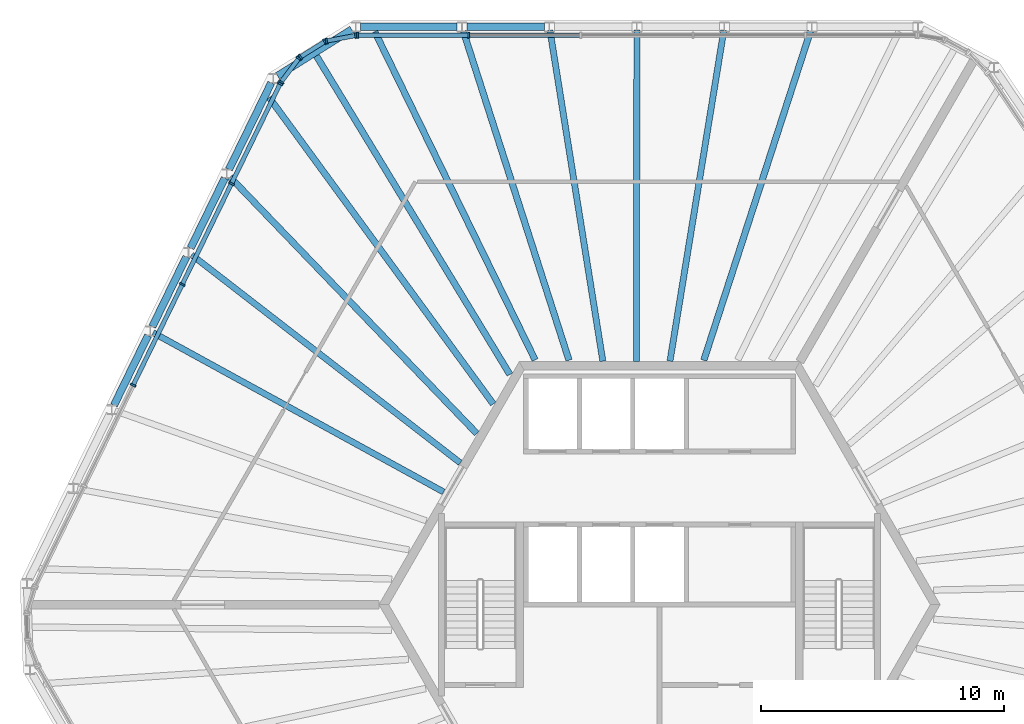
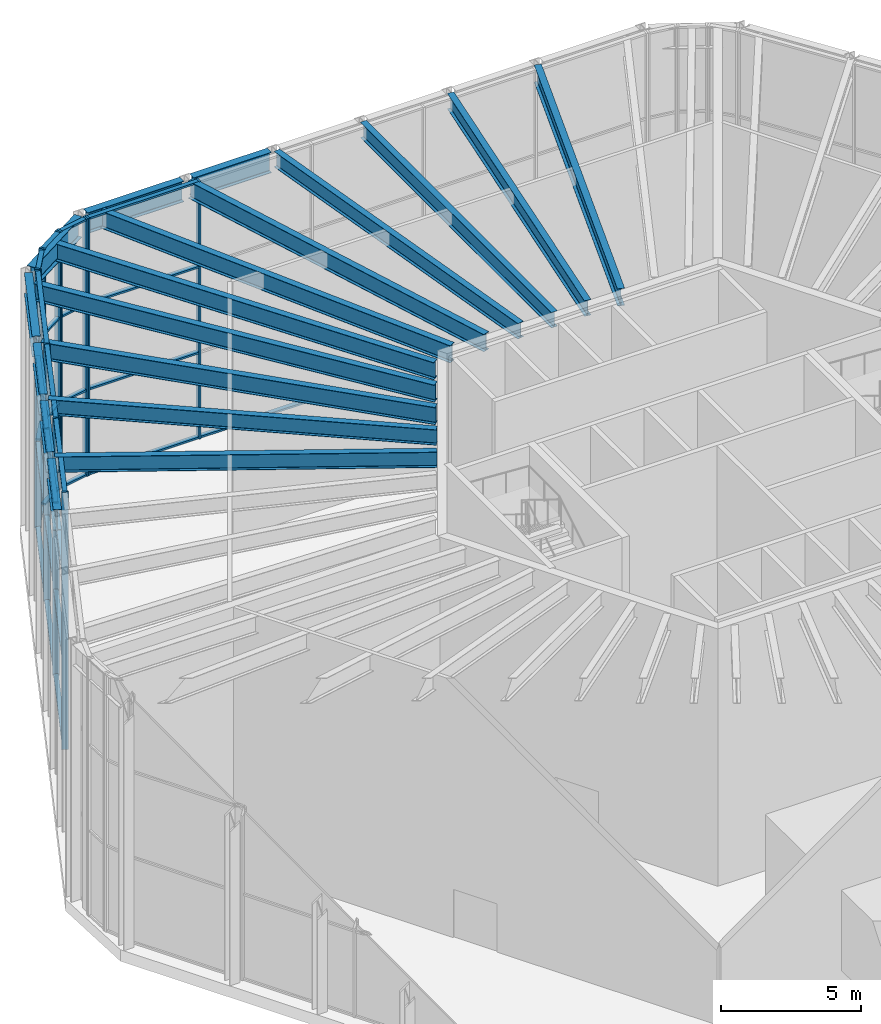
# One storey, part 7 of 17: 41 members, 18 beams, 5 elements without a shape of their own.
"""IFC4 building model written with IfcOpenShell, lengths in metres."""

from ifc_helpers import new_model, si_unit, direction, frame, origin, origin_2d, place, context, subcontext, project, spatial, rectangle, i_section, extrude, material, material_profile, profile_set, type_object, element, aggregate, save


model = new_model("IFC4")

# Units and contexts
model_context = context("Model", 3, precision=1e-05, world=origin(), true_north=direction((0.0, 1.0)))
body_context = subcontext(model_context, "Body", "Model", "MODEL_VIEW")
ifc_project = project(units=[si_unit("LENGTHUNIT", "METRE"), si_unit("AREAUNIT", "SQUARE_METRE"), si_unit("VOLUMEUNIT", "CUBIC_METRE"), si_unit("PLANEANGLEUNIT", "RADIAN"), si_unit("MASSUNIT", "GRAM", prefix="KILO")], contexts=[model_context])

# Site, building, storey
site_placement = place(None, origin())
site = spatial("IfcSite", under=ifc_project, at=site_placement, CompositionType="ELEMENT")
building_placement = place(site_placement, origin())
building = spatial("IfcBuilding", under=site, at=building_placement, Name="Tarnside Tower", CompositionType="ELEMENT")
storey_placement = place(building_placement, frame((0.0, 0.0, 376.800048828125)))
storey = spatial("IfcBuildingStorey", under=building, at=storey_placement, Name="L91", CompositionType="ELEMENT", Elevation=376.800048828125)

# Curtain wall, members
ifc_material_1 = material(Name="Damper hall glazing wall", Category="glass")
curtain_wall_type = type_object("IfcCurtainWallType", Name="Damper hall glazing wall", PredefinedType="NOTDEFINED", material=ifc_material_1)
curtain_wall_1_placement = place(storey_placement, origin())
curtain_wall_1 = element("IfcCurtainWall", 1, at=curtain_wall_1_placement, inside=storey, type_object=curtain_wall_type, Name="Damper hall glazing L91 00", PredefinedType="NOTDEFINED")
ifc_material_2 = material(Name="Aluminium alloy 6063", Category="aluminium")
ifc_material_profile_1 = material_profile(ifc_material_2, rectangle(XDim=0.239990234375, YDim=0.080078125, at=origin_2d()), Name="Damper hall glazing mullion 80 x 240")
ifc_profile_set_1 = profile_set([ifc_material_profile_1], Name="Aluminium alloy 6063")
member_type_1 = type_object("IfcMemberType", Name="Damper hall glazing mullion 80 x 240", PredefinedType="MULLION", material=ifc_profile_set_1)
member_1_placement = place(storey_placement, frame((-12.42529296875, 23.429931640625, 0.0), z_axis=(0.0, 0.0, 1.0), x_axis=(0.0, 1.0, 0.0)))
member_1 = element("IfcMember", 2, at=member_1_placement, type_object=member_type_1, Name="CW5 mullion 1", PredefinedType="MULLION", context=body_context, shape_type="SweptSolid", body=[
    extrude(rectangle(XDim=0.239990234375, YDim=0.080078125, at=origin_2d()), origin(), (0.0, 0.0, 1.0), 11.199951171875),
])
member_2_placement = place(storey_placement, frame((-7.850830078125, 23.429931640625, 0.0), z_axis=(0.0, 0.0, 1.0), x_axis=(0.0, 1.0, 0.0)))
member_2 = element("IfcMember", 3, at=member_2_placement, type_object=member_type_1, Name="CW5 mullion 2", PredefinedType="MULLION", context=body_context, shape_type="SweptSolid", body=[
    extrude(rectangle(XDim=0.239990234375, YDim=0.080078125, at=origin_2d()), origin(), (0.0, 0.0, 1.0), 11.199951171875),
])

curtain_wall_2_placement = place(storey_placement, origin())
curtain_wall_2 = element("IfcCurtainWall", 4, at=curtain_wall_2_placement, inside=storey, type_object=curtain_wall_type, Name="Damper hall glazing L91 20", PredefinedType="NOTDEFINED")
member_3_placement = place(storey_placement, frame((-21.66259765625, 9.032958984375, 0.0), z_axis=(0.0, 0.0, 1.0), x_axis=(-0.898794046299, 0.438371146789, 0.0)))
member_3 = element("IfcMember", 5, at=member_3_placement, type_object=member_type_1, Name="CW5 mullion 3", PredefinedType="MULLION", context=body_context, shape_type="SweptSolid", body=[
    extrude(rectangle(XDim=0.239990234375, YDim=0.080078125, at=origin_2d()), origin(), (0.0, 0.0, 1.0), 11.199951171875),
])
member_4_placement = place(storey_placement, frame((-19.639892578125, 13.18017578125, 0.0), z_axis=(0.0, 0.0, 1.0), x_axis=(-0.898794046299, 0.438371146789, 0.0)))
member_4 = element("IfcMember", 6, at=member_4_placement, type_object=member_type_1, Name="CW5 mullion 4", PredefinedType="MULLION", context=body_context, shape_type="SweptSolid", body=[
    extrude(rectangle(XDim=0.239990234375, YDim=0.080078125, at=origin_2d()), origin(), (0.0, 0.0, 1.0), 11.199951171875),
])
member_5_placement = place(storey_placement, frame((-17.6171875, 17.327392578125, 0.0), z_axis=(0.0, 0.0, 1.0), x_axis=(-0.898794046299, 0.438371146789, 0.0)))
member_5 = element("IfcMember", 7, at=member_5_placement, type_object=member_type_1, Name="CW5 mullion 5", PredefinedType="MULLION", context=body_context, shape_type="SweptSolid", body=[
    extrude(rectangle(XDim=0.239990234375, YDim=0.080078125, at=origin_2d()), origin(), (0.0, 0.0, 1.0), 11.199951171875),
])
member_6_placement = place(storey_placement, frame((-15.61181640625, 21.438720703125, 0.0), z_axis=(0.0, 0.0, 1.0), x_axis=(-0.898794046299, 0.438371146789, 0.0)))
member_6 = element("IfcMember", 8, at=member_6_placement, type_object=member_type_1, Name="CW5 mullion 6", PredefinedType="MULLION", context=body_context, shape_type="SweptSolid", body=[
    extrude(rectangle(XDim=0.239990234375, YDim=0.080078125, at=origin_2d()), origin(), (0.0, 0.0, 1.0), 11.199951171875),
])

curtain_wall_3_placement = place(storey_placement, origin())
curtain_wall_3 = element("IfcCurtainWall", 9, at=curtain_wall_3_placement, inside=storey, type_object=curtain_wall_type, Name="Damper hall glazing L91 21", PredefinedType="NOTDEFINED")
member_7_placement = place(storey_placement, frame((-15.570556640625, 21.5068359375, 0.0), z_axis=(0.0, 0.0, 1.0), x_axis=(-0.80212319272, 0.597158591749, 0.0)))
member_7 = element("IfcMember", 10, at=member_7_placement, type_object=member_type_1, Name="CW5 mullion 1", PredefinedType="MULLION", context=body_context, shape_type="SweptSolid", body=[
    extrude(rectangle(XDim=0.239990234375, YDim=0.080078125, at=origin_2d()), origin(), (0.0, 0.0, 1.0), 11.199951171875),
])
member_8_placement = place(storey_placement, frame((-14.841796875, 22.485595703125, 0.0), z_axis=(0.0, 0.0, 1.0), x_axis=(-0.80212319272, 0.597158591749, 0.0)))
member_8 = element("IfcMember", 11, at=member_8_placement, type_object=member_type_1, Name="CW5 mullion 2", PredefinedType="MULLION", context=body_context, shape_type="SweptSolid", body=[
    extrude(rectangle(XDim=0.239990234375, YDim=0.080078125, at=origin_2d()), origin(), (0.0, 0.0, 1.0), 11.199951171875),
])

curtain_wall_4_placement = place(storey_placement, origin())
curtain_wall_4 = element("IfcCurtainWall", 12, at=curtain_wall_4_placement, inside=storey, type_object=curtain_wall_type, Name="Damper hall glazing L91 22", PredefinedType="NOTDEFINED")
member_9_placement = place(storey_placement, frame((-14.783935546875, 22.538818359375, 0.0), z_axis=(0.0, 0.0, 1.0), x_axis=(-0.529919264307, 0.84804809611, 0.0)))
member_9 = element("IfcMember", 13, at=member_9_placement, type_object=member_type_1, Name="CW5 mullion 1", PredefinedType="MULLION", context=body_context, shape_type="SweptSolid", body=[
    extrude(rectangle(XDim=0.239990234375, YDim=0.080078125, at=origin_2d()), origin(), (0.0, 0.0, 1.0), 11.199951171875),
])
member_10_placement = place(storey_placement, frame((-13.77685546875, 23.168212890625, 0.0), z_axis=(0.0, 0.0, 1.0), x_axis=(-0.529919264307, 0.84804809611, 0.0)))
member_10 = element("IfcMember", 14, at=member_10_placement, type_object=member_type_1, Name="CW5 mullion 2", PredefinedType="MULLION", context=body_context, shape_type="SweptSolid", body=[
    extrude(rectangle(XDim=0.239990234375, YDim=0.080078125, at=origin_2d()), origin(), (0.0, 0.0, 1.0), 11.199951171875),
])

curtain_wall_5_placement = place(storey_placement, origin())
curtain_wall_5 = element("IfcCurtainWall", 15, at=curtain_wall_5_placement, inside=storey, type_object=curtain_wall_type, Name="Damper hall glazing L91 23", PredefinedType="NOTDEFINED")
member_11_placement = place(storey_placement, frame((-13.70361328125, 23.19677734375, 0.0), z_axis=(0.0, 0.0, 1.0), x_axis=(-0.185094923119, 0.982720646692, 0.0)))
member_11 = element("IfcMember", 16, at=member_11_placement, type_object=member_type_1, Name="CW5 mullion 1", PredefinedType="MULLION", context=body_context, shape_type="SweptSolid", body=[
    extrude(rectangle(XDim=0.239990234375, YDim=0.080078125, at=origin_2d()), origin(), (0.0, 0.0, 1.0), 11.199951171875),
])
member_12_placement = place(storey_placement, frame((-12.50439453125, 23.422607421875, 0.0), z_axis=(0.0, 0.0, 1.0), x_axis=(-0.185094923119, 0.982720646692, 0.0)))
member_12 = element("IfcMember", 17, at=member_12_placement, type_object=member_type_1, Name="CW5 mullion 2", PredefinedType="MULLION", context=body_context, shape_type="SweptSolid", body=[
    extrude(rectangle(XDim=0.239990234375, YDim=0.080078125, at=origin_2d()), origin(), (0.0, 0.0, 1.0), 11.199951171875),
])

# Member
ifc_material_profile_2 = material_profile(ifc_material_2, rectangle(XDim=0.179931640625, YDim=0.080078125, at=origin_2d()), Name="Damper hall glazing transom 80 x 180")
ifc_profile_set_2 = profile_set([ifc_material_profile_2], Name="Aluminium alloy 6063")
member_type_2 = type_object("IfcMemberType", Name="Damper hall glazing transom 80 x 180", PredefinedType="USERDEFINED", material=ifc_profile_set_2)
member_13_placement = place(storey_placement, frame((-12.38525390625, 23.429931640625, 0.0400390625), z_axis=(1.0, 0.0, 0.0), x_axis=(0.0, 1.0, 0.0)))
member_13 = element("IfcMember", 18, at=member_13_placement, type_object=member_type_2, Name="CW5 transom 1.1", ObjectType="TRANSOM", PredefinedType="USERDEFINED", context=body_context, shape_type="SweptSolid", body=[
    extrude(rectangle(XDim=0.179931640625, YDim=0.080078125, at=origin_2d()), origin(), (0.0, 0.0, 1.0), 4.494384765625),
])

member_14_placement = place(storey_placement, frame((-12.38525390625, 23.429931640625, 3.733154296875), z_axis=(1.0, 0.0, 0.0), x_axis=(0.0, 1.0, 0.0)))
member_14 = element("IfcMember", 19, at=member_14_placement, type_object=member_type_2, Name="CW5 transom 1.2", ObjectType="TRANSOM", PredefinedType="USERDEFINED", context=body_context, shape_type="SweptSolid", body=[
    extrude(rectangle(XDim=0.179931640625, YDim=0.080078125, at=origin_2d()), origin(), (0.0, 0.0, 1.0), 4.494384765625),
])

member_15_placement = place(storey_placement, frame((-12.38525390625, 23.429931640625, 7.466552734375), z_axis=(1.0, 0.0, 0.0), x_axis=(0.0, 1.0, 0.0)))
member_15 = element("IfcMember", 20, at=member_15_placement, type_object=member_type_2, Name="CW5 transom 1.3", ObjectType="TRANSOM", PredefinedType="USERDEFINED", context=body_context, shape_type="SweptSolid", body=[
    extrude(rectangle(XDim=0.179931640625, YDim=0.080078125, at=origin_2d()), origin(), (0.0, 0.0, 1.0), 4.494384765625),
])

member_16_placement = place(storey_placement, frame((-12.38525390625, 23.429931640625, 11.159912109375), z_axis=(1.0, 0.0, 0.0), x_axis=(0.0, 1.0, 0.0)))
member_16 = element("IfcMember", 21, at=member_16_placement, type_object=member_type_2, Name="CW5 transom 1.4", ObjectType="TRANSOM", PredefinedType="USERDEFINED", context=body_context, shape_type="SweptSolid", body=[
    extrude(rectangle(XDim=0.179931640625, YDim=0.080078125, at=origin_2d()), origin(), (0.0, 0.0, 1.0), 4.494384765625),
])

member_17_placement = place(storey_placement, frame((-7.81103515625, 23.429931640625, 0.0400390625), z_axis=(1.0, 0.0, 0.0), x_axis=(0.0, 1.0, 0.0)))
member_17 = element("IfcMember", 22, at=member_17_placement, type_object=member_type_2, Name="CW5 transom 2.1", ObjectType="TRANSOM", PredefinedType="USERDEFINED", context=body_context, shape_type="SweptSolid", body=[
    extrude(rectangle(XDim=0.179931640625, YDim=0.080078125, at=origin_2d()), origin(), (0.0, 0.0, 1.0), 4.534423828125),
])

aggregate(curtain_wall_1, [member_1, member_2, member_13, member_14, member_15, member_16, member_17])

member_18_placement = place(storey_placement, frame((-21.64501953125, 9.06884765625, 0.0400390625), z_axis=(0.438339824708, 0.898809322423, 0.0), x_axis=(-0.898809322423, 0.438339824708, 0.0)))
member_18 = element("IfcMember", 23, at=member_18_placement, type_object=member_type_2, Name="CW5 transom 3.1", ObjectType="TRANSOM", PredefinedType="USERDEFINED", context=body_context, shape_type="SweptSolid", body=[
    extrude(rectangle(XDim=0.179931640625, YDim=0.080078125, at=origin_2d()), origin(), (0.0, 0.0, 1.0), 4.5341796875),
])

member_19_placement = place(storey_placement, frame((-21.64501953125, 9.06884765625, 3.733154296875), z_axis=(0.438339824708, 0.898809322423, 0.0), x_axis=(-0.898809322423, 0.438339824708, 0.0)))
member_19 = element("IfcMember", 24, at=member_19_placement, type_object=member_type_2, Name="CW5 transom 3.2", ObjectType="TRANSOM", PredefinedType="USERDEFINED", context=body_context, shape_type="SweptSolid", body=[
    extrude(rectangle(XDim=0.179931640625, YDim=0.080078125, at=origin_2d()), origin(), (0.0, 0.0, 1.0), 4.5341796875),
])

member_20_placement = place(storey_placement, frame((-21.64501953125, 9.06884765625, 7.466552734375), z_axis=(0.438339824708, 0.898809322423, 0.0), x_axis=(-0.898809322423, 0.438339824708, 0.0)))
member_20 = element("IfcMember", 25, at=member_20_placement, type_object=member_type_2, Name="CW5 transom 3.3", ObjectType="TRANSOM", PredefinedType="USERDEFINED", context=body_context, shape_type="SweptSolid", body=[
    extrude(rectangle(XDim=0.179931640625, YDim=0.080078125, at=origin_2d()), origin(), (0.0, 0.0, 1.0), 4.5341796875),
])

member_21_placement = place(storey_placement, frame((-21.64501953125, 9.06884765625, 11.159912109375), z_axis=(0.438339824708, 0.898809322423, 0.0), x_axis=(-0.898809322423, 0.438339824708, 0.0)))
member_21 = element("IfcMember", 26, at=member_21_placement, type_object=member_type_2, Name="CW5 transom 3.4", ObjectType="TRANSOM", PredefinedType="USERDEFINED", context=body_context, shape_type="SweptSolid", body=[
    extrude(rectangle(XDim=0.179931640625, YDim=0.080078125, at=origin_2d()), origin(), (0.0, 0.0, 1.0), 4.5341796875),
])

member_22_placement = place(storey_placement, frame((-19.622314453125, 13.216064453125, 0.0400390625), z_axis=(0.438339824708, 0.898809322423, 0.0), x_axis=(-0.898809322423, 0.438339824708, 0.0)))
member_22 = element("IfcMember", 27, at=member_22_placement, type_object=member_type_2, Name="CW5 transom 4.1", ObjectType="TRANSOM", PredefinedType="USERDEFINED", context=body_context, shape_type="SweptSolid", body=[
    extrude(rectangle(XDim=0.179931640625, YDim=0.080078125, at=origin_2d()), origin(), (0.0, 0.0, 1.0), 4.5341796875),
])

member_23_placement = place(storey_placement, frame((-19.622314453125, 13.216064453125, 3.733154296875), z_axis=(0.438339824708, 0.898809322423, 0.0), x_axis=(-0.898809322423, 0.438339824708, 0.0)))
member_23 = element("IfcMember", 28, at=member_23_placement, type_object=member_type_2, Name="CW5 transom 4.2", ObjectType="TRANSOM", PredefinedType="USERDEFINED", context=body_context, shape_type="SweptSolid", body=[
    extrude(rectangle(XDim=0.179931640625, YDim=0.080078125, at=origin_2d()), origin(), (0.0, 0.0, 1.0), 4.5341796875),
])

member_24_placement = place(storey_placement, frame((-19.622314453125, 13.216064453125, 7.466552734375), z_axis=(0.438339824708, 0.898809322423, 0.0), x_axis=(-0.898809322423, 0.438339824708, 0.0)))
member_24 = element("IfcMember", 29, at=member_24_placement, type_object=member_type_2, Name="CW5 transom 4.3", ObjectType="TRANSOM", PredefinedType="USERDEFINED", context=body_context, shape_type="SweptSolid", body=[
    extrude(rectangle(XDim=0.179931640625, YDim=0.080078125, at=origin_2d()), origin(), (0.0, 0.0, 1.0), 4.5341796875),
])

member_25_placement = place(storey_placement, frame((-19.622314453125, 13.216064453125, 11.159912109375), z_axis=(0.438339824708, 0.898809322423, 0.0), x_axis=(-0.898809322423, 0.438339824708, 0.0)))
member_25 = element("IfcMember", 30, at=member_25_placement, type_object=member_type_2, Name="CW5 transom 4.4", ObjectType="TRANSOM", PredefinedType="USERDEFINED", context=body_context, shape_type="SweptSolid", body=[
    extrude(rectangle(XDim=0.179931640625, YDim=0.080078125, at=origin_2d()), origin(), (0.0, 0.0, 1.0), 4.5341796875),
])

member_26_placement = place(storey_placement, frame((-17.599609375, 17.36328125, 0.0400390625), z_axis=(0.43837011949, 0.898794547346, 0.0), x_axis=(-0.898794547346, 0.43837011949, 0.0)))
member_26 = element("IfcMember", 31, at=member_26_placement, type_object=member_type_2, Name="CW5 transom 5.1", ObjectType="TRANSOM", PredefinedType="USERDEFINED", context=body_context, shape_type="SweptSolid", body=[
    extrude(rectangle(XDim=0.179931640625, YDim=0.080078125, at=origin_2d()), origin(), (0.0, 0.0, 1.0), 4.494384765625),
])

member_27_placement = place(storey_placement, frame((-17.599609375, 17.36328125, 3.733154296875), z_axis=(0.43837011949, 0.898794547346, 0.0), x_axis=(-0.898794547346, 0.43837011949, 0.0)))
member_27 = element("IfcMember", 32, at=member_27_placement, type_object=member_type_2, Name="CW5 transom 5.2", ObjectType="TRANSOM", PredefinedType="USERDEFINED", context=body_context, shape_type="SweptSolid", body=[
    extrude(rectangle(XDim=0.179931640625, YDim=0.080078125, at=origin_2d()), origin(), (0.0, 0.0, 1.0), 4.494384765625),
])

member_28_placement = place(storey_placement, frame((-17.599609375, 17.36328125, 7.466552734375), z_axis=(0.43837011949, 0.898794547346, 0.0), x_axis=(-0.898794547346, 0.43837011949, 0.0)))
member_28 = element("IfcMember", 33, at=member_28_placement, type_object=member_type_2, Name="CW5 transom 5.3", ObjectType="TRANSOM", PredefinedType="USERDEFINED", context=body_context, shape_type="SweptSolid", body=[
    extrude(rectangle(XDim=0.179931640625, YDim=0.080078125, at=origin_2d()), origin(), (0.0, 0.0, 1.0), 4.494384765625),
])

member_29_placement = place(storey_placement, frame((-17.599609375, 17.36328125, 11.159912109375), z_axis=(0.43837011949, 0.898794547346, 0.0), x_axis=(-0.898794547346, 0.43837011949, 0.0)))
member_29 = element("IfcMember", 34, at=member_29_placement, type_object=member_type_2, Name="CW5 transom 5.4", ObjectType="TRANSOM", PredefinedType="USERDEFINED", context=body_context, shape_type="SweptSolid", body=[
    extrude(rectangle(XDim=0.179931640625, YDim=0.080078125, at=origin_2d()), origin(), (0.0, 0.0, 1.0), 4.494384765625),
])

aggregate(curtain_wall_2, [member_3, member_4, member_5, member_6, member_18, member_19, member_20, member_21, member_22, member_23, member_24, member_25, member_26, member_27, member_28, member_29])

member_30_placement = place(storey_placement, frame((-15.546630859375, 21.538818359375, 0.0400390625), z_axis=(0.59718701637, 0.802102030592, 0.0), x_axis=(-0.802102030592, 0.59718701637, 0.0)))
member_30 = element("IfcMember", 35, at=member_30_placement, type_object=member_type_2, Name="CW5 transom 1.1", ObjectType="TRANSOM", PredefinedType="USERDEFINED", context=body_context, shape_type="SweptSolid", body=[
    extrude(rectangle(XDim=0.179931640625, YDim=0.080078125, at=origin_2d()), origin(), (0.0, 0.0, 1.0), 1.14013671875),
])

member_31_placement = place(storey_placement, frame((-15.546630859375, 21.538818359375, 3.733154296875), z_axis=(0.59718701637, 0.802102030592, 0.0), x_axis=(-0.802102030592, 0.59718701637, 0.0)))
member_31 = element("IfcMember", 36, at=member_31_placement, type_object=member_type_2, Name="CW5 transom 1.2", ObjectType="TRANSOM", PredefinedType="USERDEFINED", context=body_context, shape_type="SweptSolid", body=[
    extrude(rectangle(XDim=0.179931640625, YDim=0.080078125, at=origin_2d()), origin(), (0.0, 0.0, 1.0), 1.14013671875),
])

member_32_placement = place(storey_placement, frame((-15.546630859375, 21.538818359375, 7.466552734375), z_axis=(0.59718701637, 0.802102030592, 0.0), x_axis=(-0.802102030592, 0.59718701637, 0.0)))
member_32 = element("IfcMember", 37, at=member_32_placement, type_object=member_type_2, Name="CW5 transom 1.3", ObjectType="TRANSOM", PredefinedType="USERDEFINED", context=body_context, shape_type="SweptSolid", body=[
    extrude(rectangle(XDim=0.179931640625, YDim=0.080078125, at=origin_2d()), origin(), (0.0, 0.0, 1.0), 1.14013671875),
])

member_33_placement = place(storey_placement, frame((-15.546630859375, 21.538818359375, 11.159912109375), z_axis=(0.59718701637, 0.802102030592, 0.0), x_axis=(-0.802102030592, 0.59718701637, 0.0)))
member_33 = element("IfcMember", 38, at=member_33_placement, type_object=member_type_2, Name="CW5 transom 1.4", ObjectType="TRANSOM", PredefinedType="USERDEFINED", context=body_context, shape_type="SweptSolid", body=[
    extrude(rectangle(XDim=0.179931640625, YDim=0.080078125, at=origin_2d()), origin(), (0.0, 0.0, 1.0), 1.14013671875),
])

aggregate(curtain_wall_3, [member_7, member_8, member_30, member_31, member_32, member_33])

member_34_placement = place(storey_placement, frame((-14.75, 22.56005859375, 0.0400390625), z_axis=(0.848035454852, 0.529939494012, 0.0), x_axis=(-0.529939494012, 0.848035454852, 0.0)))
member_34 = element("IfcMember", 39, at=member_34_placement, type_object=member_type_2, Name="CW5 transom 1.1", ObjectType="TRANSOM", PredefinedType="USERDEFINED", context=body_context, shape_type="SweptSolid", body=[
    extrude(rectangle(XDim=0.179931640625, YDim=0.080078125, at=origin_2d()), origin(), (0.0, 0.0, 1.0), 1.107421875),
])

member_35_placement = place(storey_placement, frame((-14.75, 22.56005859375, 3.733154296875), z_axis=(0.848035454852, 0.529939494012, 0.0), x_axis=(-0.529939494012, 0.848035454852, 0.0)))
member_35 = element("IfcMember", 40, at=member_35_placement, type_object=member_type_2, Name="CW5 transom 1.2", ObjectType="TRANSOM", PredefinedType="USERDEFINED", context=body_context, shape_type="SweptSolid", body=[
    extrude(rectangle(XDim=0.179931640625, YDim=0.080078125, at=origin_2d()), origin(), (0.0, 0.0, 1.0), 1.107421875),
])

member_36_placement = place(storey_placement, frame((-14.75, 22.56005859375, 7.466552734375), z_axis=(0.848035454852, 0.529939494012, 0.0), x_axis=(-0.529939494012, 0.848035454852, 0.0)))
member_36 = element("IfcMember", 41, at=member_36_placement, type_object=member_type_2, Name="CW5 transom 1.3", ObjectType="TRANSOM", PredefinedType="USERDEFINED", context=body_context, shape_type="SweptSolid", body=[
    extrude(rectangle(XDim=0.179931640625, YDim=0.080078125, at=origin_2d()), origin(), (0.0, 0.0, 1.0), 1.107421875),
])

member_37_placement = place(storey_placement, frame((-14.75, 22.56005859375, 11.159912109375), z_axis=(0.848035454852, 0.529939494012, 0.0), x_axis=(-0.529939494012, 0.848035454852, 0.0)))
member_37 = element("IfcMember", 42, at=member_37_placement, type_object=member_type_2, Name="CW5 transom 1.4", ObjectType="TRANSOM", PredefinedType="USERDEFINED", context=body_context, shape_type="SweptSolid", body=[
    extrude(rectangle(XDim=0.179931640625, YDim=0.080078125, at=origin_2d()), origin(), (0.0, 0.0, 1.0), 1.107421875),
])

aggregate(curtain_wall_4, [member_9, member_10, member_34, member_35, member_36, member_37])

member_38_placement = place(storey_placement, frame((-13.664306640625, 23.2041015625, 0.0400390625), z_axis=(0.98270210918, 0.185193316872, 0.0), x_axis=(-0.185193316872, 0.98270210918, 0.0)))
member_38 = element("IfcMember", 43, at=member_38_placement, type_object=member_type_2, Name="CW5 transom 1.1", ObjectType="TRANSOM", PredefinedType="USERDEFINED", context=body_context, shape_type="SweptSolid", body=[
    extrude(rectangle(XDim=0.179931640625, YDim=0.080078125, at=origin_2d()), origin(), (0.0, 0.0, 1.0), 1.140380859375),
])

member_39_placement = place(storey_placement, frame((-13.664306640625, 23.2041015625, 3.733154296875), z_axis=(0.98270210918, 0.185193316872, 0.0), x_axis=(-0.185193316872, 0.98270210918, 0.0)))
member_39 = element("IfcMember", 44, at=member_39_placement, type_object=member_type_2, Name="CW5 transom 1.2", ObjectType="TRANSOM", PredefinedType="USERDEFINED", context=body_context, shape_type="SweptSolid", body=[
    extrude(rectangle(XDim=0.179931640625, YDim=0.080078125, at=origin_2d()), origin(), (0.0, 0.0, 1.0), 1.140380859375),
])

member_40_placement = place(storey_placement, frame((-13.664306640625, 23.2041015625, 7.466552734375), z_axis=(0.98270210918, 0.185193316872, 0.0), x_axis=(-0.185193316872, 0.98270210918, 0.0)))
member_40 = element("IfcMember", 45, at=member_40_placement, type_object=member_type_2, Name="CW5 transom 1.3", ObjectType="TRANSOM", PredefinedType="USERDEFINED", context=body_context, shape_type="SweptSolid", body=[
    extrude(rectangle(XDim=0.179931640625, YDim=0.080078125, at=origin_2d()), origin(), (0.0, 0.0, 1.0), 1.140380859375),
])

member_41_placement = place(storey_placement, frame((-13.664306640625, 23.2041015625, 11.159912109375), z_axis=(0.98270210918, 0.185193316872, 0.0), x_axis=(-0.185193316872, 0.98270210918, 0.0)))
member_41 = element("IfcMember", 46, at=member_41_placement, type_object=member_type_2, Name="CW5 transom 1.4", ObjectType="TRANSOM", PredefinedType="USERDEFINED", context=body_context, shape_type="SweptSolid", body=[
    extrude(rectangle(XDim=0.179931640625, YDim=0.080078125, at=origin_2d()), origin(), (0.0, 0.0, 1.0), 1.140380859375),
])

aggregate(curtain_wall_5, [member_11, member_12, member_38, member_39, member_40, member_41])

# Beams
ifc_material_3 = material(Name="Steel S355", Category="steel")
ifc_material_profile_3 = material_profile(ifc_material_3, i_section(OverallWidth=0.2529296875, OverallDepth=0.677978515625, WebThickness=0.01171875, FlangeThickness=0.01611328125, FilletRadius=0.01513671875, at=origin_2d()), Name="UB 686x254x125")
ifc_profile_set_3 = profile_set([ifc_material_profile_3], Name="Steel S355")
beam_type_1 = type_object("IfcBeamType", Name="Floor beam UB 686x254x125", PredefinedType="BEAM", material=ifc_profile_set_3)
beam_1_placement = place(storey_placement, frame((2.6455078125, 23.63525390625, 10.861083984375), z_axis=(-0.160629491295, -0.987014775232, 0.0), x_axis=(0.987014775232, -0.160629491295, 0.0)))
element("IfcBeam", 47, at=beam_1_placement, inside=storey, type_object=beam_type_1, Name="Floor beam F1.03", PredefinedType="BEAM", context=body_context, shape_type="SweptSolid", body=[
    extrude(i_section(OverallWidth=0.2529296875, OverallDepth=0.677978515625, WebThickness=0.01171875, FlangeThickness=0.01611328125, FilletRadius=0.01513671875, at=origin_2d()), origin(), (0.0, 0.0, 1.0), 13.794677734375),
])
beam_2_placement = place(storey_placement, frame((-0.931884765625, 23.655029296875, 10.861083984375), z_axis=(-0.001430332341, -0.999998977074, 0.0), x_axis=(0.999998977074, -0.001430332341, 0.0)))
element("IfcBeam", 48, at=beam_2_placement, inside=storey, type_object=beam_type_1, Name="Floor beam F1.04", PredefinedType="BEAM", context=body_context, shape_type="SweptSolid", body=[
    extrude(i_section(OverallWidth=0.2529296875, OverallDepth=0.677978515625, WebThickness=0.01171875, FlangeThickness=0.01611328125, FilletRadius=0.01513671875, at=origin_2d()), origin(), (0.0, 0.0, 1.0), 13.655029296875),
])
beam_3_placement = place(storey_placement, frame((-4.50927734375, 23.63525390625, 10.861083984375), z_axis=(0.157886224217, -0.987457310572, 0.0), x_axis=(0.987457310572, 0.157886224217, 0.0)))
element("IfcBeam", 49, at=beam_3_placement, inside=storey, type_object=beam_type_1, Name="Floor beam F1.05", PredefinedType="BEAM", context=body_context, shape_type="SweptSolid", body=[
    extrude(i_section(OverallWidth=0.2529296875, OverallDepth=0.677978515625, WebThickness=0.01171875, FlangeThickness=0.01611328125, FilletRadius=0.01513671875, at=origin_2d()), origin(), (0.0, 0.0, 1.0), 13.788330078125),
])
beam_4_placement = place(storey_placement, frame((-19.25390625, 14.395751953125, 10.861083984375), z_axis=(0.790652803643, -0.612264766333, 0.0), x_axis=(0.612264766333, 0.790652803643, 0.0)))
element("IfcBeam", 50, at=beam_4_placement, inside=storey, type_object=beam_type_1, Name="Floor beam F2.03", PredefinedType="BEAM", context=body_context, shape_type="SweptSolid", body=[
    extrude(i_section(OverallWidth=0.2529296875, OverallDepth=0.677978515625, WebThickness=0.01171875, FlangeThickness=0.01611328125, FilletRadius=0.01513671875, at=origin_2d()), origin(), (0.0, 0.0, 1.0), 13.980224609375),
])
beam_5_placement = place(storey_placement, frame((-20.837646484375, 11.192138671875, 10.861083984375), z_axis=(0.876799005399, -0.48085705166, 0.0), x_axis=(0.48085705166, 0.876799005399, 0.0)))
element("IfcBeam", 51, at=beam_5_placement, inside=storey, type_object=beam_type_1, Name="Floor beam F2.04", PredefinedType="BEAM", context=body_context, shape_type="SweptSolid", body=[
    extrude(i_section(OverallWidth=0.2529296875, OverallDepth=0.677978515625, WebThickness=0.01171875, FlangeThickness=0.01611328125, FilletRadius=0.01513671875, at=origin_2d()), origin(), (0.0, 0.0, 1.0), 13.625244140625),
])
ifc_material_profile_4 = material_profile(ifc_material_3, i_section(OverallWidth=0.26513671875, OverallDepth=0.75390625, WebThickness=0.0126953125, FlangeThickness=0.017578125, FilletRadius=0.0166015625, at=origin_2d()), Name="UB 762x267x147")
ifc_profile_set_4 = profile_set([ifc_material_profile_4], Name="Steel S355")
beam_type_2 = type_object("IfcBeamType", Name="Floor beam UB 762x267x147", PredefinedType="BEAM", material=ifc_profile_set_4)
beam_6_placement = place(storey_placement, frame((6.2109375, 23.597900390625, 10.822998046875), z_axis=(-0.30830293966, -0.951288230452, 0.0), x_axis=(0.951288230452, -0.30830293966, 0.0)))
element("IfcBeam", 52, at=beam_6_placement, inside=storey, type_object=beam_type_2, Name="Floor beam F1.02", PredefinedType="BEAM", context=body_context, shape_type="SweptSolid", body=[
    extrude(i_section(OverallWidth=0.26513671875, OverallDepth=0.75390625, WebThickness=0.0126953125, FlangeThickness=0.017578125, FilletRadius=0.0166015625, at=origin_2d()), origin(), (0.0, 0.0, 1.0), 14.234130859375),
])
beam_7_placement = place(storey_placement, frame((-8.07470703125, 23.597900390625, 10.822998046875), z_axis=(0.305831917368, -0.952085520486, 0.0), x_axis=(0.952085520486, 0.305831917368, 0.0)))
element("IfcBeam", 53, at=beam_7_placement, inside=storey, type_object=beam_type_2, Name="Floor beam F1.06", PredefinedType="BEAM", context=body_context, shape_type="SweptSolid", body=[
    extrude(i_section(OverallWidth=0.26513671875, OverallDepth=0.75390625, WebThickness=0.0126953125, FlangeThickness=0.017578125, FilletRadius=0.0166015625, at=origin_2d()), origin(), (0.0, 0.0, 1.0), 14.22216796875),
])
beam_8_placement = place(storey_placement, frame((-11.720703125, 23.5830078125, 10.822998046875), z_axis=(0.438979492364, -0.8984970814, 0.0), x_axis=(0.8984970814, 0.438979492364, 0.0)))
element("IfcBeam", 54, at=beam_8_placement, inside=storey, type_object=beam_type_2, Name="Floor beam F1.07", PredefinedType="BEAM", context=body_context, shape_type="SweptSolid", body=[
    extrude(i_section(OverallWidth=0.26513671875, OverallDepth=0.75390625, WebThickness=0.0126953125, FlangeThickness=0.017578125, FilletRadius=0.0166015625, at=origin_2d()), origin(), (0.0, 0.0, 1.0), 15.037353515625),
])
beam_9_placement = place(storey_placement, frame((-14.13720703125, 22.60888671875, 10.822998046875), z_axis=(0.519055230048, -0.854740702295, 0.0), x_axis=(0.854740702295, 0.519055230048, 0.0)))
element("IfcBeam", 55, at=beam_9_placement, inside=storey, type_object=beam_type_2, Name="Floor beam C1", PredefinedType="BEAM", context=body_context, shape_type="SweptSolid", body=[
    extrude(i_section(OverallWidth=0.26513671875, OverallDepth=0.75390625, WebThickness=0.0126953125, FlangeThickness=0.017578125, FilletRadius=0.0166015625, at=origin_2d()), origin(), (0.0, 0.0, 1.0), 15.369873046875),
])
beam_10_placement = place(storey_placement, frame((-16.0625, 20.866943359375, 10.822998046875), z_axis=(0.590290483469, -0.807190897574, 0.0), x_axis=(0.807190897574, 0.590290483469, 0.0)))
element("IfcBeam", 56, at=beam_10_placement, inside=storey, type_object=beam_type_2, Name="Floor beam F2.01", PredefinedType="BEAM", context=body_context, shape_type="SweptSolid", body=[
    extrude(i_section(OverallWidth=0.26513671875, OverallDepth=0.75390625, WebThickness=0.0126953125, FlangeThickness=0.017578125, FilletRadius=0.0166015625, at=origin_2d()), origin(), (0.0, 0.0, 1.0), 15.619873046875),
])
beam_11_placement = place(storey_placement, frame((-17.674072265625, 17.595703125, 10.822998046875), z_axis=(0.693342632369, -0.720608072491, 0.0), x_axis=(0.720608072491, 0.693342632369, 0.0)))
element("IfcBeam", 57, at=beam_11_placement, inside=storey, type_object=beam_type_2, Name="Floor beam F2.02", PredefinedType="BEAM", context=body_context, shape_type="SweptSolid", body=[
    extrude(i_section(OverallWidth=0.26513671875, OverallDepth=0.75390625, WebThickness=0.0126953125, FlangeThickness=0.017578125, FilletRadius=0.0166015625, at=origin_2d()), origin(), (0.0, 0.0, 1.0), 14.64013671875),
])
ifc_material_profile_5 = material_profile(ifc_material_3, i_section(OverallWidth=0.30322265625, OverallDepth=0.903076171875, WebThickness=0.01513671875, FlangeThickness=0.020263671875, FilletRadius=0.01904296875, at=origin_2d()), Name="UB 914x305x201")
ifc_profile_set_5 = profile_set([ifc_material_profile_5], Name="Steel S355")
beam_type_3 = type_object("IfcBeamType", Name="Perimeter girder UB 914x305x201", PredefinedType="BEAM", material=ifc_profile_set_5)
beam_12_placement = place(storey_placement, frame((-4.733154296875, 23.77490234375, 10.74853515625), z_axis=(-1.0, 0.0, 0.0), x_axis=(0.0, -1.0, 0.0)))
element("IfcBeam", 58, at=beam_12_placement, inside=storey, type_object=beam_type_3, Name="Perimeter girder R5", PredefinedType="BEAM", context=body_context, shape_type="SweptSolid", body=[
    extrude(i_section(OverallWidth=0.30322265625, OverallDepth=0.903076171875, WebThickness=0.01513671875, FlangeThickness=0.020263671875, FilletRadius=0.01904296875, at=origin_2d()), origin(), (0.0, 0.0, 1.0), 3.197021484375),
])
beam_13_placement = place(storey_placement, frame((-8.3330078125, 23.77490234375, 10.74853515625), z_axis=(-1.0, 0.0, 0.0), x_axis=(0.0, -1.0, 0.0)))
element("IfcBeam", 59, at=beam_13_placement, inside=storey, type_object=beam_type_3, Name="Perimeter girder R6", PredefinedType="BEAM", context=body_context, shape_type="SweptSolid", body=[
    extrude(i_section(OverallWidth=0.30322265625, OverallDepth=0.903076171875, WebThickness=0.01513671875, FlangeThickness=0.020263671875, FilletRadius=0.01904296875, at=origin_2d()), origin(), (0.0, 0.0, 1.0), 3.962890625),
])
beam_14_placement = place(storey_placement, frame((-12.668212890625, 23.668212890625, 10.74853515625), z_axis=(-0.848066915537, -0.529889145738, 0.0), x_axis=(0.529889145738, -0.848066915537, 0.0)))
element("IfcBeam", 60, at=beam_14_placement, inside=storey, type_object=beam_type_3, Name="Perimeter girder R7", PredefinedType="BEAM", context=body_context, shape_type="SweptSolid", body=[
    extrude(i_section(OverallWidth=0.30322265625, OverallDepth=0.903076171875, WebThickness=0.01513671875, FlangeThickness=0.020263671875, FilletRadius=0.01904296875, at=origin_2d()), origin(), (0.0, 0.0, 1.0), 3.597900390625),
])
beam_15_placement = place(storey_placement, frame((-15.978759765625, 21.4736328125, 10.74853515625), z_axis=(-0.438369006491, -0.898795090189, 0.0), x_axis=(0.898795090189, -0.438369006491, 0.0)))
element("IfcBeam", 61, at=beam_15_placement, inside=storey, type_object=beam_type_3, Name="Perimeter girder R8", PredefinedType="BEAM", context=body_context, shape_type="SweptSolid", body=[
    extrude(i_section(OverallWidth=0.30322265625, OverallDepth=0.903076171875, WebThickness=0.01513671875, FlangeThickness=0.020263671875, FilletRadius=0.01904296875, at=origin_2d()), origin(), (0.0, 0.0, 1.0), 3.962646484375),
])
for number, where, z_axis, x_axis, name in (
    (62, (-17.892578125, 17.5498046875, 10.74853515625), (-0.438333357271, -0.898812476495, 0.0), (0.898812476495, -0.438333357271, 0.0), "Perimeter girder R9"),
    (63, (-19.470703125, 14.314208984375, 10.74853515625), (-0.438333357271, -0.898812476495, 0.0), (0.898812476495, -0.438333357271, 0.0), "Perimeter girder R10"),
):
    element("IfcBeam", number, at=place(storey_placement, frame(where, z_axis=z_axis, x_axis=x_axis)), inside=storey, type_object=beam_type_3, Name=name, PredefinedType="BEAM", context=body_context, shape_type="SweptSolid", body=[
        extrude(i_section(OverallWidth=0.30322265625, OverallDepth=0.903076171875, WebThickness=0.01513671875, FlangeThickness=0.020263671875, FilletRadius=0.01904296875, at=origin_2d()), origin(), (0.0, 0.0, 1.0), 3.197021484375),
    ])
beam_16_placement = place(storey_placement, frame((-21.048828125, 11.078369140625, 10.74853515625), z_axis=(-0.438363445215, -0.898797802567, 0.0), x_axis=(0.898797802567, -0.438363445215, 0.0)))
element("IfcBeam", 64, at=beam_16_placement, inside=storey, type_object=beam_type_3, Name="Perimeter girder R11", PredefinedType="BEAM", context=body_context, shape_type="SweptSolid", body=[
    extrude(i_section(OverallWidth=0.30322265625, OverallDepth=0.903076171875, WebThickness=0.01513671875, FlangeThickness=0.020263671875, FilletRadius=0.01904296875, at=origin_2d()), origin(), (0.0, 0.0, 1.0), 3.19677734375),
])

save(model, "model.ifc")
